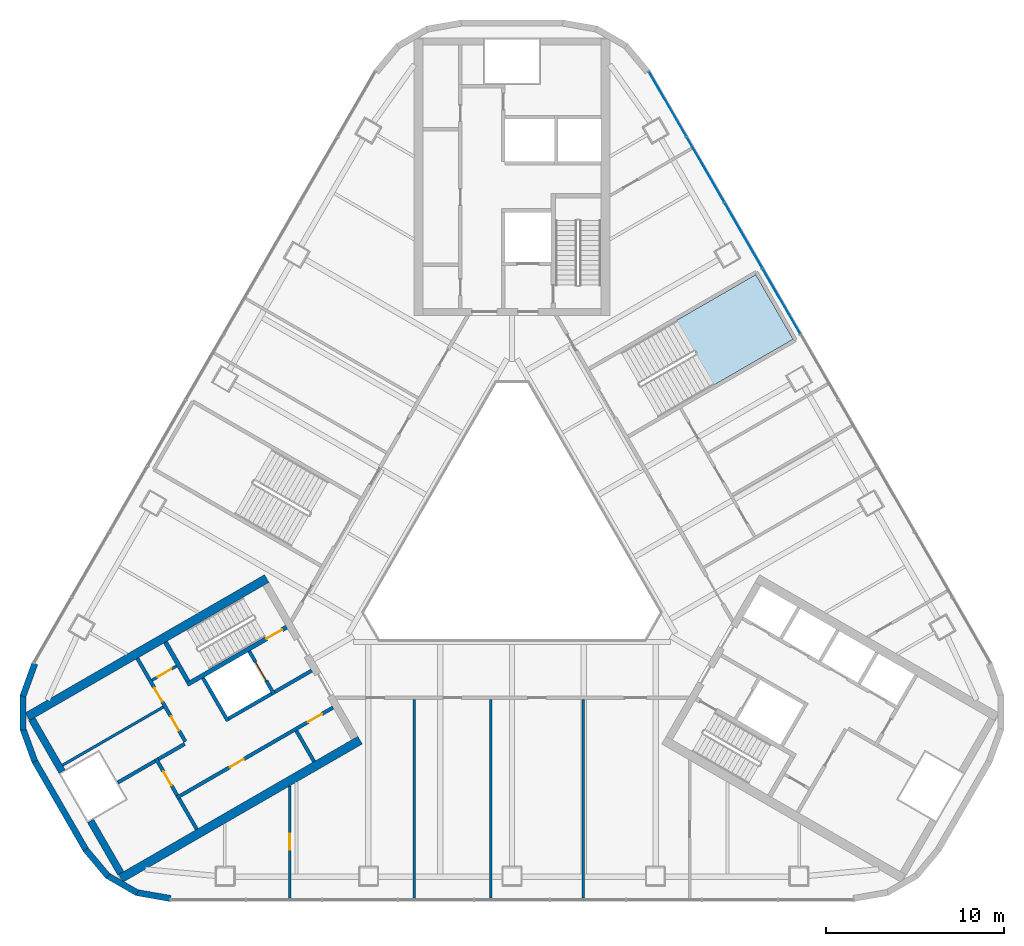
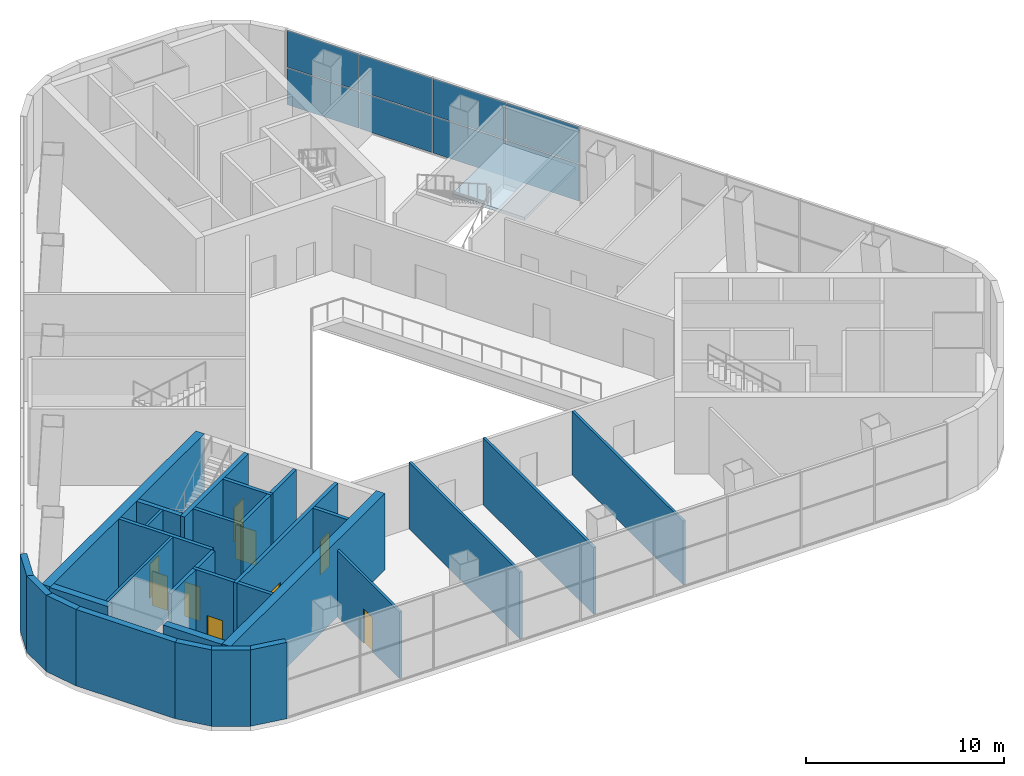
# One storey, part 7 of 13: 30 walls, 9 doors, 8 plates, 1 slab, 9 openings, 2 elements without a shape of their own.
"""IFC4 building model written with IfcOpenShell, lengths in metres."""

from ifc_helpers import new_model, si_unit, direction, frame, frame_2d, origin, origin_2d, place, context, subcontext, project, spatial, polyline, rectangle, outline, extrude, material, layer, layer_set, type_object, element, fill, aggregate, save


model = new_model("IFC4")

# Units and contexts
model_context = context("Model", 3, precision=1e-05, world=origin(), true_north=direction((0.0, 1.0)))
body_context = subcontext(model_context, "Body", "Model", "MODEL_VIEW")
ifc_project = project(units=[si_unit("LENGTHUNIT", "METRE"), si_unit("AREAUNIT", "SQUARE_METRE"), si_unit("VOLUMEUNIT", "CUBIC_METRE"), si_unit("PLANEANGLEUNIT", "RADIAN"), si_unit("MASSUNIT", "GRAM", prefix="KILO")], contexts=[model_context])

# Site, building, storey
site_placement = place(None, origin())
site = spatial("IfcSite", under=ifc_project, at=site_placement, CompositionType="ELEMENT")
building_placement = place(site_placement, origin())
building = spatial("IfcBuilding", under=site, at=building_placement, Name="Apuvela Tower Hotel", CompositionType="ELEMENT")
storey_placement = place(building_placement, frame((0.0, 0.0, 23.5)))
storey = spatial("IfcBuildingStorey", under=building, at=storey_placement, Name="L03", CompositionType="ELEMENT", Elevation=23.5)

# Curtain wall, plates
ifc_material_1 = material(Name="Aluminium 6063-T6, dark bronze anodised", Category="aluminium")
ifc_layer_1 = layer(ifc_material_1, 0.199951171875)
ifc_layer_set_1 = layer_set([ifc_layer_1], Name="ENV-CW-P")
curtain_wall_type = type_object("IfcCurtainWallType", Name="ENV-CW-P", PredefinedType="NOTDEFINED", material=ifc_layer_set_1)
curtain_wall_placement = place(storey_placement, origin())
curtain_wall = element("IfcCurtainWall", 1, at=curtain_wall_placement, inside=storey, type_object=curtain_wall_type, Name="Curtain wall CW-P NE L03", PredefinedType="NOTDEFINED")
ifc_material_2 = material(Name="Glass, dark tinted laminated insulated glazing unit", Category="glass")
ifc_layer_2 = layer(ifc_material_2, 0.0400390625)
ifc_layer_set_2 = layer_set([ifc_layer_2], Name="ENV-PANEL-IGU-40")
plate_type = type_object("IfcPlateType", Name="ENV-PANEL-IGU-40", PredefinedType="CURTAIN_PANEL", material=ifc_layer_set_2)
plate_1_placement = place(storey_placement, frame((15.16162109375, 13.69140625, 0.06494140625), z_axis=(0.0, 0.0, 1.0), x_axis=(-0.499999699665, 0.866025577183, 0.0)))
plate_1 = element("IfcPlate", 2, at=plate_1_placement, type_object=plate_type, Name="CW-P panel 6.1", PredefinedType="CURTAIN_PANEL", context=body_context, shape_type="SweptSolid", body=[
    extrude(rectangle(XDim=4.211181640625, YDim=0.0400390625, at=origin_2d()), origin(), (0.0, 0.0, 1.0), 2.25244140625),
])
plate_2_placement = place(storey_placement, frame((15.16162109375, 13.69140625, 2.382568359375), z_axis=(0.0, 0.0, 1.0), x_axis=(-0.499999699665, 0.866025577183, 0.0)))
plate_2 = element("IfcPlate", 3, at=plate_2_placement, type_object=plate_type, Name="CW-P panel 6.2", PredefinedType="CURTAIN_PANEL", context=body_context, shape_type="SweptSolid", body=[
    extrude(rectangle(XDim=4.211181640625, YDim=0.0400390625, at=origin_2d()), origin(), (0.0, 0.0, 1.0), 2.25244140625),
])
plate_3_placement = place(storey_placement, frame((13.0234375, 17.394775390625, 0.06494140625), z_axis=(0.0, 0.0, 1.0), x_axis=(-0.499999699665, 0.866025577183, 0.0)))
plate_3 = element("IfcPlate", 4, at=plate_3_placement, type_object=plate_type, Name="CW-P panel 7.1", PredefinedType="CURTAIN_PANEL", context=body_context, shape_type="SweptSolid", body=[
    extrude(rectangle(XDim=4.211181640625, YDim=0.0400390625, at=origin_2d()), origin(), (0.0, 0.0, 1.0), 2.25244140625),
])
plate_4_placement = place(storey_placement, frame((13.0234375, 17.394775390625, 2.382568359375), z_axis=(0.0, 0.0, 1.0), x_axis=(-0.499999699665, 0.866025577183, 0.0)))
plate_4 = element("IfcPlate", 5, at=plate_4_placement, type_object=plate_type, Name="CW-P panel 7.2", PredefinedType="CURTAIN_PANEL", context=body_context, shape_type="SweptSolid", body=[
    extrude(rectangle(XDim=4.211181640625, YDim=0.0400390625, at=origin_2d()), origin(), (0.0, 0.0, 1.0), 2.25244140625),
])
plate_5_placement = place(storey_placement, frame((10.88525390625, 21.09814453125, 0.06494140625), z_axis=(0.0, 0.0, 1.0), x_axis=(-0.499999699665, 0.866025577183, 0.0)))
plate_5 = element("IfcPlate", 6, at=plate_5_placement, type_object=plate_type, Name="CW-P panel 8.1", PredefinedType="CURTAIN_PANEL", context=body_context, shape_type="SweptSolid", body=[
    extrude(rectangle(XDim=4.211181640625, YDim=0.0400390625, at=origin_2d()), origin(), (0.0, 0.0, 1.0), 2.25244140625),
])
plate_6_placement = place(storey_placement, frame((10.88525390625, 21.09814453125, 2.382568359375), z_axis=(0.0, 0.0, 1.0), x_axis=(-0.499999699665, 0.866025577183, 0.0)))
plate_6 = element("IfcPlate", 7, at=plate_6_placement, type_object=plate_type, Name="CW-P panel 8.2", PredefinedType="CURTAIN_PANEL", context=body_context, shape_type="SweptSolid", body=[
    extrude(rectangle(XDim=4.211181640625, YDim=0.0400390625, at=origin_2d()), origin(), (0.0, 0.0, 1.0), 2.25244140625),
])
plate_7_placement = place(storey_placement, frame((8.75537109375, 24.787353515625, 0.06494140625), z_axis=(0.0, 0.0, 1.0), x_axis=(-0.499999699665, 0.866025577183, 0.0)))
plate_7 = element("IfcPlate", 8, at=plate_7_placement, type_object=plate_type, Name="CW-P panel 9.1", PredefinedType="CURTAIN_PANEL", context=body_context, shape_type="SweptSolid", body=[
    extrude(rectangle(XDim=4.1787109375, YDim=0.0400390625, at=origin_2d()), origin(), (0.0, 0.0, 1.0), 2.25244140625),
])
plate_8_placement = place(storey_placement, frame((8.75537109375, 24.787353515625, 2.382568359375), z_axis=(0.0, 0.0, 1.0), x_axis=(-0.499999699665, 0.866025577183, 0.0)))
plate_8 = element("IfcPlate", 9, at=plate_8_placement, type_object=plate_type, Name="CW-P panel 9.2", PredefinedType="CURTAIN_PANEL", context=body_context, shape_type="SweptSolid", body=[
    extrude(rectangle(XDim=4.1787109375, YDim=0.0400390625, at=origin_2d()), origin(), (0.0, 0.0, 1.0), 2.25244140625),
])
aggregate(curtain_wall, [plate_1, plate_2, plate_3, plate_4, plate_5, plate_6, plate_7, plate_8])

# Stair, slab
ifc_material_3 = material(Name="Concrete C40/50", Category="concrete")
stair_type = type_object("IfcStairType", Name="SPC-STAIR-PS", PredefinedType="HALF_TURN_STAIR", material=ifc_material_3)
stair_placement = place(storey_placement, origin())
stair = element("IfcStair", 10, at=stair_placement, inside=storey, type_object=stair_type, Name="L03 Protected exit stair PS1", PredefinedType="HALF_TURN_STAIR")
ifc_layer_3 = layer(ifc_material_3, 0.199951171875)
ifc_layer_set_3 = layer_set([ifc_layer_3], Name="SPC-LANDING-PS")
slab_type = type_object("IfcSlabType", Name="SPC-LANDING-PS", PredefinedType="LANDING", material=ifc_layer_set_3)
slab_placement = place(storey_placement, frame((0.0, 0.0, 2.300048828125)))
slab = element("IfcSlab", 11, at=slab_placement, type_object=slab_type, Name="PS1 landing 1", PredefinedType="LANDING", context=body_context, shape_type="SweptSolid", body=[
    extrude(outline(polyline([(11.364501953125, 8.986083984375), (15.8115234375, 11.5537109375), (13.71142578125, 15.19091796875), (9.264404296875, 12.62353515625), (11.364501953125, 8.986083984375)])), origin(), (0.0, 0.0, 1.0), 0.199951171875),
])
aggregate(stair, [slab])

# Walls
ifc_material_4 = material(Name="Concrete C50/60", Category="concrete")
ifc_layer_4 = layer(ifc_material_4, 0.39990234375)
ifc_layer_set_4 = layer_set([ifc_layer_4], Name="COR-WALL-CORE-400")
wall_type_1 = type_object("IfcWallType", Name="COR-WALL-CORE-400", PredefinedType="SHEAR", material=ifc_layer_set_4)
wall_1_placement = place(storey_placement, frame((-23.70849609375, -15.53564453125, 0.0), z_axis=(0.0, 0.0, 1.0), x_axis=(0.500008388397, -0.866020560687, 0.0)))
element("IfcWall", 12, at=wall_1_placement, inside=storey, type_object=wall_type_1, Name="Core wall SW", PredefinedType="SHEAR", context=body_context, shape_type="SweptSolid", body=[
    extrude(rectangle(XDim=3.39990234375, YDim=0.39990234375, at=frame_2d((1.699951171875, 0.0))), origin(), (0.0, 0.0, 1.0), 4.699951171875),
])
wall_2_placement = place(storey_placement, frame((-27.008544921875, -9.81982421875, 0.0), z_axis=(0.0, 0.0, 1.0), x_axis=(0.499977295307, -0.866038511948, 0.0)))
element("IfcWall", 13, at=wall_2_placement, inside=storey, type_object=wall_type_1, Name="Core wall SW", PredefinedType="SHEAR", context=body_context, shape_type="SweptSolid", body=[
    extrude(rectangle(XDim=3.400146484375, YDim=0.39990234375, at=frame_2d((1.7001953125, 0.0))), origin(), (0.0, 0.0, 1.0), 4.699951171875),
])
ifc_layer_5 = layer(ifc_material_4, 0.5)
ifc_layer_set_5 = layer_set([ifc_layer_5], Name="COR-WALL-CORE-500")
wall_type_2 = type_object("IfcWallType", Name="COR-WALL-CORE-500", PredefinedType="SHEAR", material=ifc_layer_set_5)
for number, where, z_axis, x_axis, name in (
    (14, (-13.796630859375, -1.9033203125, 0.0), (0.0, 0.0, 1.0), (-0.866025760136, -0.499999382781, 0.0), "Core wall SW"),
    (15, (-8.546630859375, -10.99658203125, 0.0), (0.0, 0.0, 1.0), (-0.866025760136, -0.499999382781, 0.0), "Core wall SW"),
):
    element("IfcWall", number, at=place(storey_placement, frame(where, z_axis=z_axis, x_axis=x_axis)), inside=storey, type_object=wall_type_2, Name=name, PredefinedType="SHEAR", context=body_context, shape_type="SweptSolid", body=[
        extrude(rectangle(XDim=15.54248046875, YDim=0.5, at=frame_2d((7.771240234375, 0.0))), origin(), (0.0, 0.0, 1.0), 4.699951171875),
    ])

# Wall, opening, door
ifc_material_5 = material(Name="Blockwork 150 mm plastered", Category="masonry")
ifc_layer_6 = layer(ifc_material_5, 0.14990234375)
ifc_layer_set_6 = layer_set([ifc_layer_6], Name="COR-WALL-PART-150")
wall_type_3 = type_object("IfcWallType", Name="COR-WALL-PART-150", PredefinedType="PARTITIONING", material=ifc_layer_set_6)
wall_3_placement = place(storey_placement, frame((-18.866455078125, -6.822265625, 0.0), z_axis=(0.0, 0.0, 1.0), x_axis=(-0.866028054938, -0.499995408039, 0.0)))
wall_3 = element("IfcWall", 16, at=wall_3_placement, inside=storey, type_object=wall_type_3, Name="Partition SW", PredefinedType="PARTITIONING", context=body_context, shape_type="SweptSolid", body=[
    extrude(rectangle(XDim=1.60009765625, YDim=0.14990234375, at=frame_2d((0.800048828125, 0.0))), origin(), (0.0, 0.0, 1.0), 4.699951171875),
])
opening_1_placement = place(wall_3_placement, frame((0.35009765625, 0.0, 0.0)))
opening_1 = element("IfcOpeningElement", 17, at=opening_1_placement, cuts=wall_3, Name="Opening W-RD", PredefinedType="OPENING", context=body_context, shape_type="SweptSolid", body=[
    extrude(rectangle(XDim=0.89990234375, YDim=2.10009765625, at=frame_2d((0.449951171875, 1.050048828125))), frame((0.0, 0.0849609375, 0.0), z_axis=(0.0, -1.0, 0.0), x_axis=(1.0, 0.0, 0.0)), (0.0, 0.0, 1.0), 0.169921875),
])
ifc_material_6 = material(Name="Steel access door, powder coated", Category="steel")
door_type_1 = type_object("IfcDoorType", Name="COR-RD-900", OperationType="NOTDEFINED", PredefinedType="DOOR", material=ifc_material_6)
door_1_placement = place(opening_1_placement, frame((0.89990234375, 0.0, 0.0), z_axis=(0.0, 0.0, 1.0), x_axis=(-1.0, 0.0, 0.0)))
door_1 = element("IfcDoor", 18, at=door_1_placement, inside=storey, type_object=door_type_1, Name="Riser door W-RD", OperationType="SINGLE_SWING_RIGHT", OverallHeight=2.10009765625, OverallWidth=0.89990234375, PredefinedType="DOOR", context=body_context, shape_type="SweptSolid", body=[
    extrude(rectangle(XDim=0.89990234375, YDim=2.10009765625, at=frame_2d((0.449951171875, 1.050048828125))), frame((0.0, 0.02490234375, 0.0), z_axis=(0.0, -1.0, 0.0), x_axis=(1.0, 0.0, 0.0)), (0.0, 0.0, 1.0), 0.050048828125),
])
fill(opening_1, door_1)

# Wall
wall_4_placement = place(storey_placement, frame((-19.61279296875, -9.129638671875, 0.0), z_axis=(0.0, 0.0, 1.0), x_axis=(-0.866037242061, -0.499979494943, 0.0)))
element("IfcWall", 19, at=wall_4_placement, inside=storey, type_object=wall_type_3, Name="Partition SW", PredefinedType="PARTITIONING", context=body_context, shape_type="SweptSolid", body=[
    extrude(rectangle(XDim=6.550048828125, YDim=0.14990234375, at=frame_2d((3.27490234375, 0.0))), origin(), (0.0, 0.0, 1.0), 4.699951171875),
])

# Wall, openings, doors
ifc_material_7 = material(Name="Blockwork 200 mm plastered", Category="masonry")
ifc_layer_7 = layer(ifc_material_7, 0.199951171875)
ifc_layer_set_7 = layer_set([ifc_layer_7], Name="COR-WALL-PART-200")
wall_type_4 = type_object("IfcWallType", Name="COR-WALL-PART-200", PredefinedType="PARTITIONING", material=ifc_layer_set_7)
wall_5_placement = place(storey_placement, frame((-21.076171875, -6.39501953125, 0.0), z_axis=(0.0, 0.0, 1.0), x_axis=(0.50001468107, -0.866016927499, 0.0)))
wall_5 = element("IfcWall", 20, at=wall_5_placement, inside=storey, type_object=wall_type_4, Name="Partition SW", PredefinedType="PARTITIONING", context=body_context, shape_type="SweptSolid", body=[
    extrude(rectangle(XDim=5.399658203125, YDim=0.199951171875, at=frame_2d((2.69970703125, 0.0))), origin(), (0.0, 0.0, 1.0), 4.699951171875),
])
opening_2_placement = place(wall_5_placement, frame((1.91259765625, 0.0, 0.0)))
opening_2 = element("IfcOpeningElement", 21, at=opening_2_placement, cuts=wall_5, Name="Opening W-RS1", PredefinedType="OPENING", context=body_context, shape_type="SweptSolid", body=[
    extrude(rectangle(XDim=0.89990234375, YDim=2.10009765625, at=frame_2d((0.449951171875, 1.050048828125))), frame((0.0, 0.10986328125, 0.0), z_axis=(0.0, -1.0, 0.0), x_axis=(1.0, 0.0, 0.0)), (0.0, 0.0, 1.0), 0.219970703125),
])
opening_3_placement = place(wall_5_placement, frame((3.78759765625, 0.0, 0.0)))
opening_3 = element("IfcOpeningElement", 22, at=opening_3_placement, cuts=wall_5, Name="Opening W-RS2", PredefinedType="OPENING", context=body_context, shape_type="SweptSolid", body=[
    extrude(rectangle(XDim=0.89990234375, YDim=2.10009765625, at=frame_2d((0.449951171875, 1.050048828125))), frame((0.0, 0.10986328125, 0.0), z_axis=(0.0, -1.0, 0.0), x_axis=(1.0, 0.0, 0.0)), (0.0, 0.0, 1.0), 0.219970703125),
])
ifc_material_8 = material(Name="Steel fire door, powder coated", Category="steel")
door_type_2 = type_object("IfcDoorType", Name="COR-DR-900", OperationType="NOTDEFINED", PredefinedType="DOOR", material=ifc_material_8)
door_2_placement = place(opening_2_placement, frame((0.89990234375, 0.0, 0.0), z_axis=(0.0, 0.0, 1.0), x_axis=(-1.0, 0.0, 0.0)))
door_2 = element("IfcDoor", 23, at=door_2_placement, inside=storey, type_object=door_type_2, Name="Store door W-RS1", OperationType="SINGLE_SWING_LEFT", OverallHeight=2.10009765625, OverallWidth=0.89990234375, PredefinedType="DOOR", context=body_context, shape_type="SweptSolid", body=[
    extrude(rectangle(XDim=0.89990234375, YDim=2.10009765625, at=frame_2d((0.449951171875, 1.050048828125))), frame((0.0, 0.02490234375, 0.0), z_axis=(0.0, -1.0, 0.0), x_axis=(1.0, 0.0, 0.0)), (0.0, 0.0, 1.0), 0.050048828125),
])
fill(opening_2, door_2)
door_3_placement = place(opening_3_placement, frame((0.89990234375, 0.0, 0.0), z_axis=(0.0, 0.0, 1.0), x_axis=(-1.0, 0.0, 0.0)))
door_3 = element("IfcDoor", 24, at=door_3_placement, inside=storey, type_object=door_type_2, Name="Store door W-RS2", OperationType="SINGLE_SWING_LEFT", OverallHeight=2.10009765625, OverallWidth=0.89990234375, PredefinedType="DOOR", context=body_context, shape_type="SweptSolid", body=[
    extrude(rectangle(XDim=0.89990234375, YDim=2.10009765625, at=frame_2d((0.449951171875, 1.050048828125))), frame((0.0, 0.02490234375, 0.0), z_axis=(0.0, -1.0, 0.0), x_axis=(1.0, 0.0, 0.0)), (0.0, 0.0, 1.0), 0.050048828125),
])
fill(opening_3, door_3)

# Wall
ifc_layer_8 = layer(ifc_material_4, 0.199951171875)
ifc_layer_set_8 = layer_set([ifc_layer_8], Name="COR-WALL-SHAFT-200")
wall_type_5 = type_object("IfcWallType", Name="COR-WALL-SHAFT-200", PredefinedType="SHEAR", material=ifc_layer_set_8)
wall_6_placement = place(storey_placement, frame((-17.38134765625, -7.49462890625, 0.0), z_axis=(0.0, 0.0, 1.0), x_axis=(0.500011755427, -0.866018616679, 0.0)))
element("IfcWall", 25, at=wall_6_placement, inside=storey, type_object=wall_type_5, Name="Shaft wall SW", PredefinedType="SHEAR", context=body_context, shape_type="SweptSolid", body=[
    extrude(rectangle(XDim=2.80029296875, YDim=0.199951171875, at=frame_2d((1.400146484375, 0.0))), origin(), (0.0, 0.0, 1.0), 4.699951171875),
])

# Wall, opening, door
wall_7_placement = place(storey_placement, frame((-14.783203125, -5.99462890625, 0.0), z_axis=(0.0, 0.0, 1.0), x_axis=(0.49994636267, -0.866056369097, 0.0)))
wall_7 = element("IfcWall", 26, at=wall_7_placement, inside=storey, type_object=wall_type_5, Name="Shaft wall SW", PredefinedType="SHEAR", context=body_context, shape_type="SweptSolid", body=[
    extrude(rectangle(XDim=2.800048828125, YDim=0.199951171875, at=frame_2d((1.39990234375, 0.0))), origin(), (0.0, 0.0, 1.0), 4.699951171875),
])
opening_4_placement = place(wall_7_placement, frame((0.699951171875, 0.0, 0.0)))
opening_4 = element("IfcOpeningElement", 27, at=opening_4_placement, cuts=wall_7, Name="Opening W-LD-FS2", PredefinedType="OPENING", context=body_context, shape_type="SweptSolid", body=[
    extrude(rectangle(XDim=1.199951171875, YDim=2.10009765625, at=frame_2d((0.60009765625, 1.050048828125))), frame((0.0, 0.10986328125, 0.0), z_axis=(0.0, -1.0, 0.0), x_axis=(1.0, 0.0, 0.0)), (0.0, 0.0, 1.0), 0.219970703125),
])
ifc_material_9 = material(Name="Stainless steel lift landing door", Category="steel")
door_type_3 = type_object("IfcDoorType", Name="COR-LD-1200", OperationType="DOUBLE_DOOR_SLIDING", PredefinedType="DOOR", material=ifc_material_9)
door_4_placement = place(opening_4_placement, origin())
door_4 = element("IfcDoor", 28, at=door_4_placement, inside=storey, type_object=door_type_3, Name="Lift landing door W-LD-FS2", OperationType="DOUBLE_DOOR_SLIDING", OverallHeight=2.10009765625, OverallWidth=1.199951171875, PredefinedType="DOOR", context=body_context, shape_type="SweptSolid", body=[
    extrude(rectangle(XDim=1.199951171875, YDim=2.10009765625, at=frame_2d((0.60009765625, 1.050048828125))), frame((0.0, 0.02490234375, 0.0), z_axis=(0.0, -1.0, 0.0), x_axis=(1.0, 0.0, 0.0)), (0.0, 0.0, 1.0), 0.050048828125),
])
fill(opening_4, door_4)

# Walls
wall_8_placement = place(storey_placement, frame((-13.519775390625, -8.383056640625, 0.0), z_axis=(0.0, 0.0, 1.0), x_axis=(-0.866034573852, -0.49998411664, 0.0)))
element("IfcWall", 29, at=wall_8_placement, inside=storey, type_object=wall_type_5, Name="Shaft wall SW", PredefinedType="SHEAR", context=body_context, shape_type="SweptSolid", body=[
    extrude(rectangle(XDim=2.7998046875, YDim=0.199951171875, at=frame_2d((1.39990234375, 0.0))), origin(), (0.0, 0.0, 1.0), 4.699951171875),
])
wall_9_placement = place(storey_placement, frame((-11.26806640625, -7.0830078125, 0.0), z_axis=(0.0, 0.0, 1.0), x_axis=(-0.866050077142, -0.499957262057, 0.0)))
element("IfcWall", 30, at=wall_9_placement, inside=storey, type_object=wall_type_5, Name="Shaft wall SW", PredefinedType="SHEAR", context=body_context, shape_type="SweptSolid", body=[
    extrude(rectangle(XDim=2.400146484375, YDim=0.199951171875, at=frame_2d((1.2001953125, 0.0))), origin(), (0.0, 0.0, 1.0), 4.699951171875),
])

# Wall, openings, doors
wall_10_placement = place(storey_placement, frame((-10.068115234375, -9.16162109375, 0.0), z_axis=(0.0, 0.0, 1.0), x_axis=(-0.866032725843, -0.499987317609, 0.0)))
wall_10 = element("IfcWall", 31, at=wall_10_placement, inside=storey, type_object=wall_type_5, Name="Shaft wall SW", PredefinedType="SHEAR", context=body_context, shape_type="SweptSolid", body=[
    extrude(rectangle(XDim=10.159912109375, YDim=0.199951171875, at=frame_2d((5.080078125, 0.0))), origin(), (0.0, 0.0, 1.0), 4.699951171875),
])
opening_5_placement = place(wall_10_placement, frame((0.719970703125, 0.0, 0.0)))
opening_5 = element("IfcOpeningElement", 32, at=opening_5_placement, cuts=wall_10, Name="Opening W-RE1", PredefinedType="OPENING", context=body_context, shape_type="SweptSolid", body=[
    extrude(rectangle(XDim=0.89990234375, YDim=2.10009765625, at=frame_2d((0.449951171875, 1.050048828125))), frame((0.0, 0.10986328125, 0.0), z_axis=(0.0, -1.0, 0.0), x_axis=(1.0, 0.0, 0.0)), (0.0, 0.0, 1.0), 0.219970703125),
])
opening_6_placement = place(wall_10_placement, frame((5.800048828125, 0.0, 0.0)))
opening_6 = element("IfcOpeningElement", 33, at=opening_6_placement, cuts=wall_10, Name="Opening W-RE2", PredefinedType="OPENING", context=body_context, shape_type="SweptSolid", body=[
    extrude(rectangle(XDim=0.89990234375, YDim=2.10009765625, at=frame_2d((0.449951171875, 1.050048828125))), frame((0.0, 0.10986328125, 0.0), z_axis=(0.0, -1.0, 0.0), x_axis=(1.0, 0.0, 0.0)), (0.0, 0.0, 1.0), 0.219970703125),
])
door_5_placement = place(opening_5_placement, origin())
door_5 = element("IfcDoor", 34, at=door_5_placement, inside=storey, type_object=door_type_2, Name="Store door W-RE1", OperationType="SINGLE_SWING_LEFT", OverallHeight=2.10009765625, OverallWidth=0.89990234375, PredefinedType="DOOR", context=body_context, shape_type="SweptSolid", body=[
    extrude(rectangle(XDim=0.89990234375, YDim=2.10009765625, at=frame_2d((0.449951171875, 1.050048828125))), frame((0.0, 0.02490234375, 0.0), z_axis=(0.0, -1.0, 0.0), x_axis=(1.0, 0.0, 0.0)), (0.0, 0.0, 1.0), 0.050048828125),
])
fill(opening_5, door_5)
door_6_placement = place(opening_6_placement, origin())
door_6 = element("IfcDoor", 35, at=door_6_placement, inside=storey, type_object=door_type_2, Name="Store door W-RE2", OperationType="SINGLE_SWING_RIGHT", OverallHeight=2.10009765625, OverallWidth=0.89990234375, PredefinedType="DOOR", context=body_context, shape_type="SweptSolid", body=[
    extrude(rectangle(XDim=0.89990234375, YDim=2.10009765625, at=frame_2d((0.449951171875, 1.050048828125))), frame((0.0, 0.02490234375, 0.0), z_axis=(0.0, -1.0, 0.0), x_axis=(1.0, 0.0, 0.0)), (0.0, 0.0, 1.0), 0.050048828125),
])
fill(opening_6, door_6)

# Wall, opening, door
wall_11_placement = place(storey_placement, frame((-20.030517578125, -12.0263671875, 0.0), z_axis=(0.0, 0.0, 1.0), x_axis=(0.500033551112, -0.866006032174, 0.0)))
wall_11 = element("IfcWall", 36, at=wall_11_placement, inside=storey, type_object=wall_type_5, Name="Shaft wall SW", PredefinedType="SHEAR", context=body_context, shape_type="SweptSolid", body=[
    extrude(rectangle(XDim=2.400146484375, YDim=0.199951171875, at=frame_2d((1.2001953125, 0.0))), origin(), (0.0, 0.0, 1.0), 4.699951171875),
])
opening_7_placement = place(wall_11_placement, frame((0.85009765625, 0.0, 0.0)))
opening_7 = element("IfcOpeningElement", 37, at=opening_7_placement, cuts=wall_11, Name="Opening W-REP", PredefinedType="OPENING", context=body_context, shape_type="SweptSolid", body=[
    extrude(rectangle(XDim=0.89990234375, YDim=2.10009765625, at=frame_2d((0.449951171875, 1.050048828125))), frame((0.0, 0.10986328125, 0.0), z_axis=(0.0, -1.0, 0.0), x_axis=(1.0, 0.0, 0.0)), (0.0, 0.0, 1.0), 0.219970703125),
])
door_7_placement = place(opening_7_placement, frame((0.89990234375, 0.0, 0.0), z_axis=(0.0, 0.0, 1.0), x_axis=(-1.0, 0.0, 0.0)))
door_7 = element("IfcDoor", 38, at=door_7_placement, inside=storey, type_object=door_type_2, Name="Store door W-REP", OperationType="SINGLE_SWING_LEFT", OverallHeight=2.10009765625, OverallWidth=0.89990234375, PredefinedType="DOOR", context=body_context, shape_type="SweptSolid", body=[
    extrude(rectangle(XDim=0.89990234375, YDim=2.10009765625, at=frame_2d((0.449951171875, 1.050048828125))), frame((0.0, 0.02490234375, 0.0), z_axis=(0.0, -1.0, 0.0), x_axis=(1.0, 0.0, 0.0)), (0.0, 0.0, 1.0), 0.050048828125),
])
fill(opening_7, door_7)

# Walls
wall_12_placement = place(storey_placement, frame((-18.412841796875, -11.2080078125, 0.0), z_axis=(0.0, 0.0, 1.0), x_axis=(-0.866038183914, -0.499977863513, 0.0)))
element("IfcWall", 39, at=wall_12_placement, inside=storey, type_object=wall_type_5, Name="Shaft wall SW", PredefinedType="SHEAR", context=body_context, shape_type="SweptSolid", body=[
    extrude(rectangle(XDim=1.7099609375, YDim=0.199951171875, at=frame_2d((0.85498046875, 0.0))), origin(), (0.0, 0.0, 1.0), 4.699951171875),
])
for number, where, z_axis, x_axis, name in (
    (40, (-12.131103515625, -10.468017578125, 0.0), (0.0, 0.0, 1.0), (0.499972520799, -0.866041268327, 0.0), "Shaft wall SW"),
    (41, (-18.73046875, -14.278076171875, 0.0), (0.0, 0.0, 1.0), (0.50002537861, -0.866010750942, 0.0), "Shaft wall SW"),
):
    element("IfcWall", number, at=place(storey_placement, frame(where, z_axis=z_axis, x_axis=x_axis)), inside=storey, type_object=wall_type_5, Name=name, PredefinedType="SHEAR", context=body_context, shape_type="SweptSolid", body=[
        extrude(rectangle(XDim=2.0, YDim=0.199951171875, at=frame_2d((1.0, 0.0))), origin(), (0.0, 0.0, 1.0), 4.699951171875),
    ])
wall_13_placement = place(storey_placement, frame((-20.06689453125, -12.1630859375, 0.0), z_axis=(0.0, 0.0, 1.0), x_axis=(-0.866048967903, -0.499959183527, 0.0)))
element("IfcWall", 42, at=wall_13_placement, inside=storey, type_object=wall_type_5, Name="Shaft wall SW", PredefinedType="SHEAR", context=body_context, shape_type="SweptSolid", body=[
    extrude(rectangle(XDim=2.440185546875, YDim=0.199951171875, at=frame_2d((1.22021484375, 0.0))), origin(), (0.0, 0.0, 1.0), 4.699951171875),
])

# Wall, opening, door
ifc_layer_9 = layer(ifc_material_4, 0.25)
ifc_layer_set_9 = layer_set([ifc_layer_9], Name="COR-WALL-STAIR-250")
wall_type_6 = type_object("IfcWallType", Name="COR-WALL-STAIR-250", PredefinedType="SHEAR", material=ifc_layer_set_9)
wall_14_placement = place(storey_placement, frame((-12.6806640625, -4.636474609375, 0.0), z_axis=(0.0, 0.0, 1.0), x_axis=(-0.866021702275, -0.500006411147, 0.0)))
wall_14 = element("IfcWall", 43, at=wall_14_placement, inside=storey, type_object=wall_type_6, Name="Stair wall SW", PredefinedType="SHEAR", context=body_context, shape_type="SweptSolid", body=[
    extrude(rectangle(XDim=6.4501953125, YDim=0.25, at=frame_2d((3.22509765625, 0.0))), origin(), (0.0, 0.0, 1.0), 4.699951171875),
])
opening_8_placement = place(wall_14_placement, frame((0.300048828125, 0.0, 0.0)))
opening_8 = element("IfcOpeningElement", 44, at=opening_8_placement, cuts=wall_14, Name="Opening W-SD", PredefinedType="OPENING", context=body_context, shape_type="SweptSolid", body=[
    extrude(rectangle(XDim=1.0, YDim=2.10009765625, at=frame_2d((0.5, 1.050048828125))), frame((0.0, 0.135009765625, 0.0), z_axis=(0.0, -1.0, 0.0), x_axis=(1.0, 0.0, 0.0)), (0.0, 0.0, 1.0), 0.27001953125),
])
door_type_4 = type_object("IfcDoorType", Name="COR-SD-1000", OperationType="NOTDEFINED", PredefinedType="DOOR", material=ifc_material_8)
door_8_placement = place(opening_8_placement, frame((1.0, 0.0, 0.0), z_axis=(0.0, 0.0, 1.0), x_axis=(-1.0, 0.0, 0.0)))
door_8 = element("IfcDoor", 45, at=door_8_placement, inside=storey, type_object=door_type_4, Name="Stair door W-SD", OperationType="SINGLE_SWING_LEFT", OverallHeight=2.10009765625, OverallWidth=1.0, PredefinedType="DOOR", context=body_context, shape_type="SweptSolid", body=[
    extrude(rectangle(XDim=1.0, YDim=2.10009765625, at=frame_2d((0.5, 1.050048828125))), frame((0.0, 0.02490234375, 0.0), z_axis=(0.0, -1.0, 0.0), x_axis=(1.0, 0.0, 0.0)), (0.0, 0.0, 1.0), 0.050048828125),
])
fill(opening_8, door_8)

# Walls
wall_15_placement = place(storey_placement, frame((-19.49560546875, -5.482421875, 0.0), z_axis=(0.0, 0.0, 1.0), x_axis=(0.499990435942, -0.866030925526, 0.0)))
element("IfcWall", 46, at=wall_15_placement, inside=storey, type_object=wall_type_6, Name="Stair wall SW", PredefinedType="SHEAR", context=body_context, shape_type="SweptSolid", body=[
    extrude(rectangle(XDim=2.5498046875, YDim=0.25, at=frame_2d((1.27490234375, 0.0))), origin(), (0.0, 0.0, 1.0), 4.699951171875),
])
ifc_material_10 = material(Name="Concrete C40/50, dark pigmented precast panel", Category="concrete")
ifc_layer_10 = layer(ifc_material_10, 0.35009765625)
ifc_layer_set_10 = layer_set([ifc_layer_10], Name="ENV-WALL-350")
wall_type_7 = type_object("IfcWallType", Name="ENV-WALL-350", PredefinedType="SOLIDWALL", material=ifc_layer_set_10)
for number, where, z_axis, x_axis, name in (
    (47, (-26.843505859375, -6.68701171875, 0.0), (0.0, 0.0, 1.0), (-0.342054111286, -0.939680256764, 0.0), "External wall L03-08"),
    (48, (-27.501220703125, -8.462890625, 0.0), (0.0, 0.0, 1.0), (0.0, -1.0, 0.0), "External wall L03-09"),
    (49, (-27.51171875, -10.356689453125, 0.0), (0.0, 0.0, 1.0), (0.342054111286, -0.939680256764, 0.0), "External wall L03-10"),
):
    element("IfcWall", number, at=place(storey_placement, frame(where, z_axis=z_axis, x_axis=x_axis)), inside=storey, type_object=wall_type_7, Name=name, PredefinedType="SOLIDWALL", context=body_context, shape_type="SweptSolid", body=[
        extrude(rectangle(XDim=1.95361328125, YDim=0.35009765625, at=frame_2d((0.976806640625, 0.0))), origin(), (0.0, 0.0, 1.0), 4.699951171875),
    ])
wall_16_placement = place(storey_placement, frame((-26.8564453125, -12.164794921875, 0.0), z_axis=(0.0, 0.0, 1.0), x_axis=(0.500009758026, -0.866019769912, 0.0)))
element("IfcWall", 50, at=wall_16_placement, inside=storey, type_object=wall_type_7, Name="External wall L03-11", PredefinedType="SOLIDWALL", context=body_context, shape_type="SweptSolid", body=[
    extrude(rectangle(XDim=5.78662109375, YDim=0.35009765625, at=frame_2d((2.893310546875, 0.0))), origin(), (0.0, 0.0, 1.0), 4.699951171875),
])
for number, where, z_axis, x_axis, name in (
    (51, (-23.980712890625, -17.15087890625, 0.0), (0.0, 0.0, 1.0), (0.642737684723, -0.766086332365, 0.0), "External wall L03-12"),
    (52, (-22.771484375, -18.6083984375, 0.0), (0.0, 0.0, 1.0), (0.866027425724, -0.499996497882, 0.0), "External wall L03-13"),
    (53, (-21.13671875, -19.564453125, 0.0), (0.0, 0.0, 1.0), (0.984796137525, -0.173714039487, 0.0), "External wall L03-14"),
):
    element("IfcWall", number, at=place(storey_placement, frame(where, z_axis=z_axis, x_axis=x_axis)), inside=storey, type_object=wall_type_7, Name=name, PredefinedType="SOLIDWALL", context=body_context, shape_type="SweptSolid", body=[
        extrude(rectangle(XDim=1.95361328125, YDim=0.35009765625, at=frame_2d((0.976806640625, 0.0))), origin(), (0.0, 0.0, 1.0), 4.699951171875),
    ])

# Wall, opening, door
ifc_material_11 = material(Name="Gypsum board partition on steel stud", Category="steel")
ifc_layer_11 = layer(ifc_material_11, 0.14990234375)
ifc_layer_set_11 = layer_set([ifc_layer_11], Name="SPC-WALL-PARTITION")
wall_type_8 = type_object("IfcWallType", Name="SPC-WALL-PARTITION", PredefinedType="PARTITIONING", material=ifc_layer_set_11)
wall_17_placement = place(storey_placement, frame((-12.5, -19.8759765625, 0.0), z_axis=(0.0, 0.0, 1.0), x_axis=(0.0, 1.0, 0.0)))
wall_17 = element("IfcWall", 54, at=wall_17_placement, inside=storey, type_object=wall_type_8, Name="Wall L03-S-P01", PredefinedType="PARTITIONING", context=body_context, shape_type="SweptSolid", body=[
    extrude(rectangle(XDim=6.308349609375, YDim=0.14990234375, at=frame_2d((3.154296875, 0.0))), origin(), (0.0, 0.0, 1.0), 4.10009765625),
])
opening_9_placement = place(wall_17_placement, frame((2.7041015625, 0.0, 0.0)))
opening_9 = element("IfcOpeningElement", 55, at=opening_9_placement, cuts=wall_17, Name="Opening L03-S08", PredefinedType="OPENING", context=body_context, shape_type="SweptSolid", body=[
    extrude(rectangle(XDim=0.89990234375, YDim=2.10009765625, at=frame_2d((0.449951171875, 1.050048828125))), frame((0.0, 0.0849609375, 0.0), z_axis=(0.0, -1.0, 0.0), x_axis=(1.0, 0.0, 0.0)), (0.0, 0.0, 1.0), 0.169921875),
])
ifc_material_12 = material(Name="Hardwood veneer door leaf", Category="wood")
door_type_5 = type_object("IfcDoorType", Name="SPC-DOOR-900", OperationType="NOTDEFINED", PredefinedType="DOOR", material=ifc_material_12)
door_9_placement = place(opening_9_placement, origin())
door_9 = element("IfcDoor", 56, at=door_9_placement, inside=storey, type_object=door_type_5, Name="L03-S08", OperationType="SINGLE_SWING_LEFT", OverallHeight=2.10009765625, OverallWidth=0.89990234375, PredefinedType="DOOR", context=body_context, shape_type="SweptSolid", body=[
    extrude(rectangle(XDim=0.89990234375, YDim=2.10009765625, at=frame_2d((0.449951171875, 1.050048828125))), frame((0.0, 0.02490234375, 0.0), z_axis=(0.0, -1.0, 0.0), x_axis=(1.0, 0.0, 0.0)), (0.0, 0.0, 1.0), 0.050048828125),
])
fill(opening_9, door_9)

# Walls
for number, where, z_axis, x_axis, name in (
    (57, (-5.5, -19.8759765625, 0.0), (0.0, 0.0, 1.0), (0.0, 1.0, 0.0), "Wall L03-S-P02"),
    (58, (-1.199951171875, -19.8759765625, 0.0), (0.0, 0.0, 1.0), (0.0, 1.0, 0.0), "Wall L03-S-P03"),
):
    element("IfcWall", number, at=place(storey_placement, frame(where, z_axis=z_axis, x_axis=x_axis)), inside=storey, type_object=wall_type_8, Name=name, PredefinedType="PARTITIONING", context=body_context, shape_type="SweptSolid", body=[
        extrude(rectangle(XDim=11.176025390625, YDim=0.14990234375, at=frame_2d((5.587890625, 0.0))), origin(), (0.0, 0.0, 1.0), 4.10009765625),
    ])
wall_18_placement = place(storey_placement, frame((4.0, -19.8759765625, 0.0), z_axis=(0.0, 0.0, 1.0), x_axis=(0.0, 1.0, 0.0)))
element("IfcWall", 59, at=wall_18_placement, inside=storey, type_object=wall_type_8, Name="Wall L03-S-P04", PredefinedType="PARTITIONING", context=body_context, shape_type="SweptSolid", body=[
    extrude(rectangle(XDim=11.176025390625, YDim=0.14990234375, at=frame_2d((5.587890625, 0.0))), origin(), (0.0, 0.0, 1.0), 3.909912109375),
])

save(model, "model.ifc")
